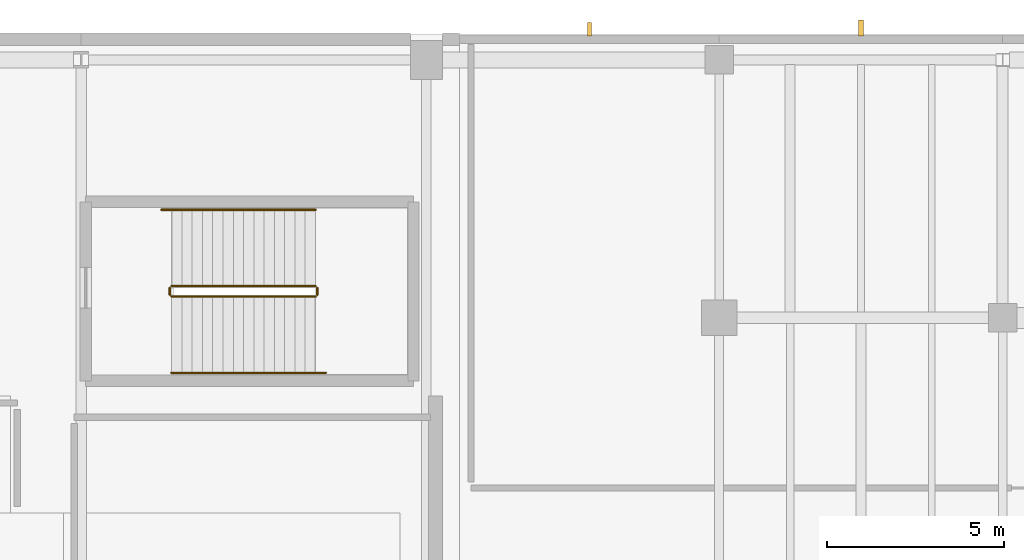
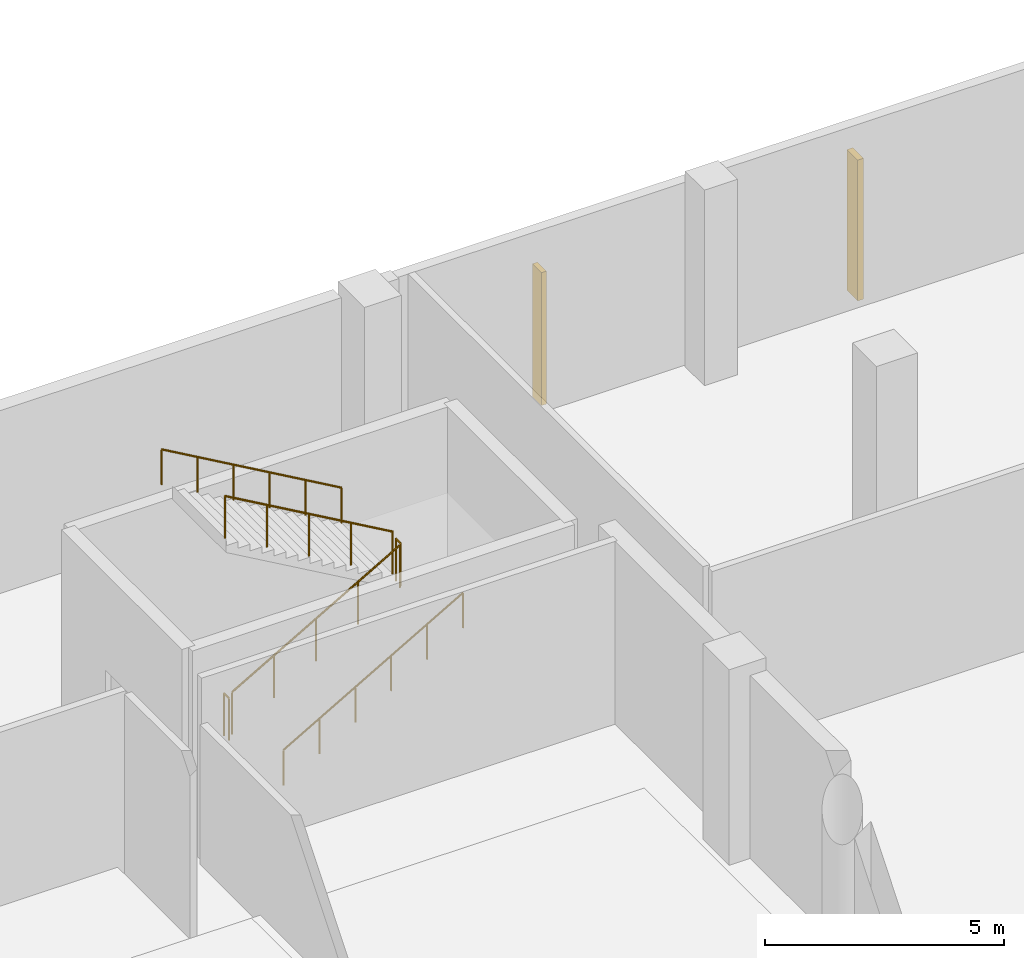
# One storey, part 86 of 88: 6 railings, 2 shading devices.
"""IFC4 building model written with IfcOpenShell, lengths in metres."""

from ifc_helpers import new_model, si_unit, direction, frame, origin, origin_2d, place, context, subcontext, project, spatial, rectangle, circle, extrude, material, type_object, element, save


model = new_model("IFC4")

# Units and contexts
model_context = context("Model", 3, precision=1e-05, world=origin(), true_north=direction((0.0, 1.0)))
body_context = subcontext(model_context, "Body", "Model", "MODEL_VIEW")
ifc_project = project(units=[si_unit("LENGTHUNIT", "METRE"), si_unit("AREAUNIT", "SQUARE_METRE"), si_unit("VOLUMEUNIT", "CUBIC_METRE"), si_unit("PLANEANGLEUNIT", "RADIAN"), si_unit("MASSUNIT", "GRAM", prefix="KILO")], contexts=[model_context])

# Site, building, storey
site_placement = place(None, origin())
site = spatial("IfcSite", under=ifc_project, at=site_placement, CompositionType="ELEMENT")
building_placement = place(site_placement, origin())
building = spatial("IfcBuilding", under=site, at=building_placement, Name="Trimount Lyric Opera House", CompositionType="ELEMENT")
storey_placement = place(building_placement, origin())
storey = spatial("IfcBuildingStorey", under=building, at=storey_placement, Name="L00", CompositionType="ELEMENT", Elevation=0.0)

# Railings
ifc_material_1 = material(Name="Brushed Stainless Steel 316", Category="steel")
railing_type_1 = type_object("IfcRailingType", Name="RL-GRD110", PredefinedType="GUARDRAIL", material=ifc_material_1)
railing_1_placement = place(storey_placement, frame((106.550048828125, 110.60009765625, 0.166748046875)))
element("IfcRailing", 1, at=railing_1_placement, inside=storey, type_object=railing_type_1, Name="L00 ST-02 stair guard 1", PredefinedType="GUARDRAIL", context=body_context, shape_type="SweptSolid", body=[
    extrude(circle(Radius=0.02392578125, at=origin_2d()), frame((0.0, 0.0, 1.076171875), z_axis=(0.867024558463, 0.0, 0.498265406207), x_axis=(0.0, 1.0, 0.0)), (0.0, 0.0, 1.0), 4.682861328125),
    extrude(circle(Radius=0.02099609375, at=origin_2d()), origin(), (0.0, 0.0, 1.0), 1.052001953125),
    extrude(circle(Radius=0.02099609375, at=origin_2d()), frame((1.01513671875, 0.0, 0.583251953125)), (0.0, 0.0, 1.0), 1.052001953125),
    extrude(circle(Radius=0.02099609375, at=origin_2d()), frame((2.030029296875, 0.0, 1.16650390625)), (0.0, 0.0, 1.0), 1.052001953125),
    extrude(circle(Radius=0.02099609375, at=origin_2d()), frame((3.044921875, 0.0, 1.75)), (0.0, 0.0, 1.0), 1.052001953125),
    extrude(circle(Radius=0.02099609375, at=origin_2d()), frame((4.06005859375, 0.0, 2.333251953125)), (0.0, 0.0, 1.0), 1.052001953125),
])
railing_2_placement = place(storey_placement, frame((110.659912109375, 110.64990234375, 2.5)))
element("IfcRailing", 2, at=railing_2_placement, inside=storey, type_object=railing_type_1, Name="L00 ST-02 stair guard 2", PredefinedType="GUARDRAIL", context=body_context, shape_type="SweptSolid", body=[
    extrude(circle(Radius=0.02392578125, at=origin_2d()), frame((0.0, 0.0, 1.076171875), z_axis=(0.0, 1.0, 0.0), x_axis=(-1.0, 0.0, 0.0)), (0.0, 0.0, 1.0), 0.2001953125),
    extrude(circle(Radius=0.02099609375, at=origin_2d()), origin(), (0.0, 0.0, 1.0), 1.052001953125),
    extrude(circle(Radius=0.02099609375, at=origin_2d()), frame((0.0, 0.2001953125, 0.0)), (0.0, 0.0, 1.0), 1.052001953125),
])
railing_3_placement = place(storey_placement, frame((110.610107421875, 110.89990234375, 2.666748046875)))
element("IfcRailing", 3, at=railing_3_placement, inside=storey, type_object=railing_type_1, Name="L00 ST-02 stair guard 3", PredefinedType="GUARDRAIL", context=body_context, shape_type="SweptSolid", body=[
    extrude(circle(Radius=0.02392578125, at=origin_2d()), frame((0.0, 0.0, 1.076171875), z_axis=(-0.867024558463, 0.0, 0.498265406207), x_axis=(0.0, -1.0, 0.0)), (0.0, 0.0, 1.0), 4.682861328125),
    extrude(circle(Radius=0.02099609375, at=origin_2d()), origin(), (0.0, 0.0, 1.0), 1.052001953125),
    extrude(circle(Radius=0.02099609375, at=origin_2d()), frame((-1.01513671875, 0.0, 0.583251953125)), (0.0, 0.0, 1.0), 1.052001953125),
    extrude(circle(Radius=0.02099609375, at=origin_2d()), frame((-2.030029296875, 0.0, 1.16650390625)), (0.0, 0.0, 1.0), 1.052001953125),
    extrude(circle(Radius=0.02099609375, at=origin_2d()), frame((-3.044921875, 0.0, 1.75)), (0.0, 0.0, 1.0), 1.052001953125),
    extrude(circle(Radius=0.02099609375, at=origin_2d()), frame((-4.06005859375, 0.0, 2.333251953125)), (0.0, 0.0, 1.0), 1.052001953125),
])
railing_4_placement = place(storey_placement, frame((106.5, 110.64990234375, 0.0)))
element("IfcRailing", 4, at=railing_4_placement, inside=storey, type_object=railing_type_1, Name="L00 ST-02 stair guard 4", PredefinedType="GUARDRAIL", context=body_context, shape_type="SweptSolid", body=[
    extrude(circle(Radius=0.02392578125, at=origin_2d()), frame((0.0, 0.0, 1.076171875), z_axis=(0.0, 1.0, 0.0), x_axis=(-1.0, 0.0, 0.0)), (0.0, 0.0, 1.0), 0.2001953125),
    extrude(circle(Radius=0.02099609375, at=origin_2d()), origin(), (0.0, 0.0, 1.0), 1.052001953125),
    extrude(circle(Radius=0.02099609375, at=origin_2d()), frame((0.0, 0.2001953125, 0.0)), (0.0, 0.0, 1.0), 1.052001953125),
])
ifc_material_2 = material(Name="Brushed Stainless Steel 316", Category="steel")
railing_type_2 = type_object("IfcRailingType", Name="RL-HND092", PredefinedType="HANDRAIL", material=ifc_material_2)
railing_5_placement = place(storey_placement, frame((106.550048828125, 108.449951171875, 0.166748046875)))
element("IfcRailing", 5, at=railing_5_placement, inside=storey, type_object=railing_type_2, Name="L00 ST-02 stair handrail 1", PredefinedType="HANDRAIL", context=body_context, shape_type="SweptSolid", body=[
    extrude(circle(Radius=0.0224609375, at=origin_2d()), frame((0.0, 0.0, 0.8974609375), z_axis=(0.866754379005, 0.0, 0.498735246875), x_axis=(0.0, 1.0, 0.0)), (0.0, 0.0, 1.0), 5.0185546875),
    extrude(circle(Radius=0.02099609375, at=origin_2d()), origin(), (0.0, 0.0, 1.0), 0.875),
    extrude(circle(Radius=0.02099609375, at=origin_2d()), frame((0.869873046875, 0.0, 0.50048828125)), (0.0, 0.0, 1.0), 0.875),
    extrude(circle(Radius=0.02099609375, at=origin_2d()), frame((1.739990234375, 0.0, 1.001220703125)), (0.0, 0.0, 1.0), 0.875),
    extrude(circle(Radius=0.02099609375, at=origin_2d()), frame((2.60986328125, 0.0, 1.501708984375)), (0.0, 0.0, 1.0), 0.875),
    extrude(circle(Radius=0.02099609375, at=origin_2d()), frame((3.47998046875, 0.0, 2.00244140625)), (0.0, 0.0, 1.0), 0.875),
    extrude(circle(Radius=0.02099609375, at=origin_2d()), frame((4.349853515625, 0.0, 2.5029296875)), (0.0, 0.0, 1.0), 0.875),
])
railing_6_placement = place(storey_placement, frame((110.610107421875, 113.050048828125, 2.666748046875)))
element("IfcRailing", 6, at=railing_6_placement, inside=storey, type_object=railing_type_2, Name="L00 ST-02 stair handrail 2", PredefinedType="HANDRAIL", context=body_context, shape_type="SweptSolid", body=[
    extrude(circle(Radius=0.0224609375, at=origin_2d()), frame((0.0, 0.0, 0.8974609375), z_axis=(-0.866766478692, 0.0, 0.498714218181), x_axis=(0.0, -1.0, 0.0)), (0.0, 0.0, 1.0), 5.018798828125),
    extrude(circle(Radius=0.02099609375, at=origin_2d()), origin(), (0.0, 0.0, 1.0), 0.875),
    extrude(circle(Radius=0.02099609375, at=origin_2d()), frame((-0.8701171875, 0.0, 0.50048828125)), (0.0, 0.0, 1.0), 0.875),
    extrude(circle(Radius=0.02099609375, at=origin_2d()), frame((-1.739990234375, 0.0, 1.001220703125)), (0.0, 0.0, 1.0), 0.875),
    extrude(circle(Radius=0.02099609375, at=origin_2d()), frame((-2.610107421875, 0.0, 1.501708984375)), (0.0, 0.0, 1.0), 0.875),
    extrude(circle(Radius=0.02099609375, at=origin_2d()), frame((-3.47998046875, 0.0, 2.00244140625)), (0.0, 0.0, 1.0), 0.875),
    extrude(circle(Radius=0.02099609375, at=origin_2d()), frame((-4.35009765625, 0.0, 2.5029296875)), (0.0, 0.0, 1.0), 0.875),
])

# Shading devices
ifc_material_3 = material(Name="Extruded Bronze Vertical Acoustic Fin")
shading_device_type_1 = type_object("IfcShadingDeviceType", Name="SHD-FIN1", PredefinedType="USERDEFINED", material=ifc_material_3)
shading_device_1_placement = place(storey_placement, frame((126.0, 118.179931640625, 0.0), z_axis=(0.0, 0.0, 1.0), x_axis=(1.0, 0.0, 0.0)))
element("IfcShadingDevice", 7, at=shading_device_1_placement, inside=storey, type_object=shading_device_type_1, Name="Vertical architectural facade fin 019", ObjectType="FIN", PredefinedType="USERDEFINED", context=body_context, shape_type="SweptSolid", body=[
    extrude(rectangle(XDim=0.139892578125, YDim=0.449951171875, at=origin_2d()), origin(), (0.0, 0.0, 1.0), 3.60009765625),
])
ifc_material_4 = material(Name="Extruded White Aluminium Sun Fin", Category="aluminium")
shading_device_type_2 = type_object("IfcShadingDeviceType", Name="SHD-FIN2", PredefinedType="USERDEFINED", material=ifc_material_4)
shading_device_2_placement = place(storey_placement, frame((118.340087890625, 118.14501953125, 0.0), z_axis=(0.0, 0.0, 1.0), x_axis=(1.0, 0.0, 0.0)))
element("IfcShadingDevice", 8, at=shading_device_2_placement, inside=storey, type_object=shading_device_type_2, Name="Vertical architectural facade fin 018", ObjectType="FIN", PredefinedType="USERDEFINED", context=body_context, shape_type="SweptSolid", body=[
    extrude(rectangle(XDim=0.1201171875, YDim=0.3798828125, at=origin_2d()), origin(), (0.0, 0.0, 1.0), 3.39990234375),
])

save(model, "model.ifc")
